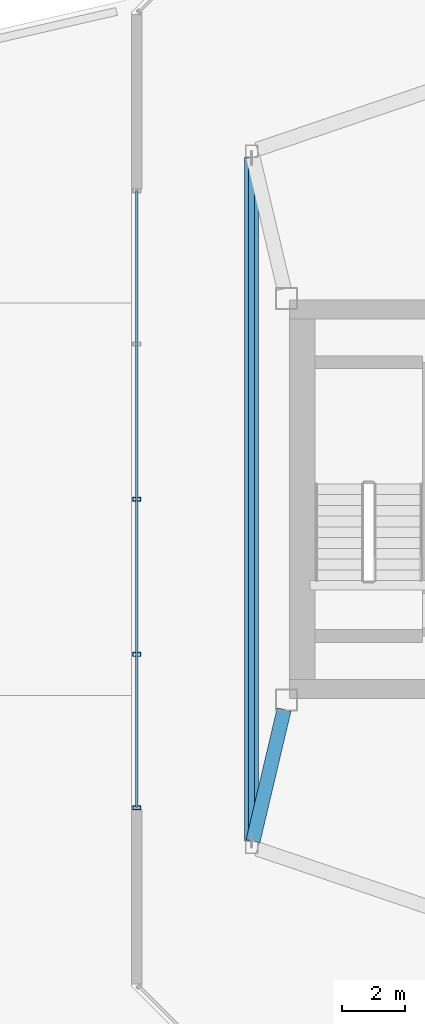
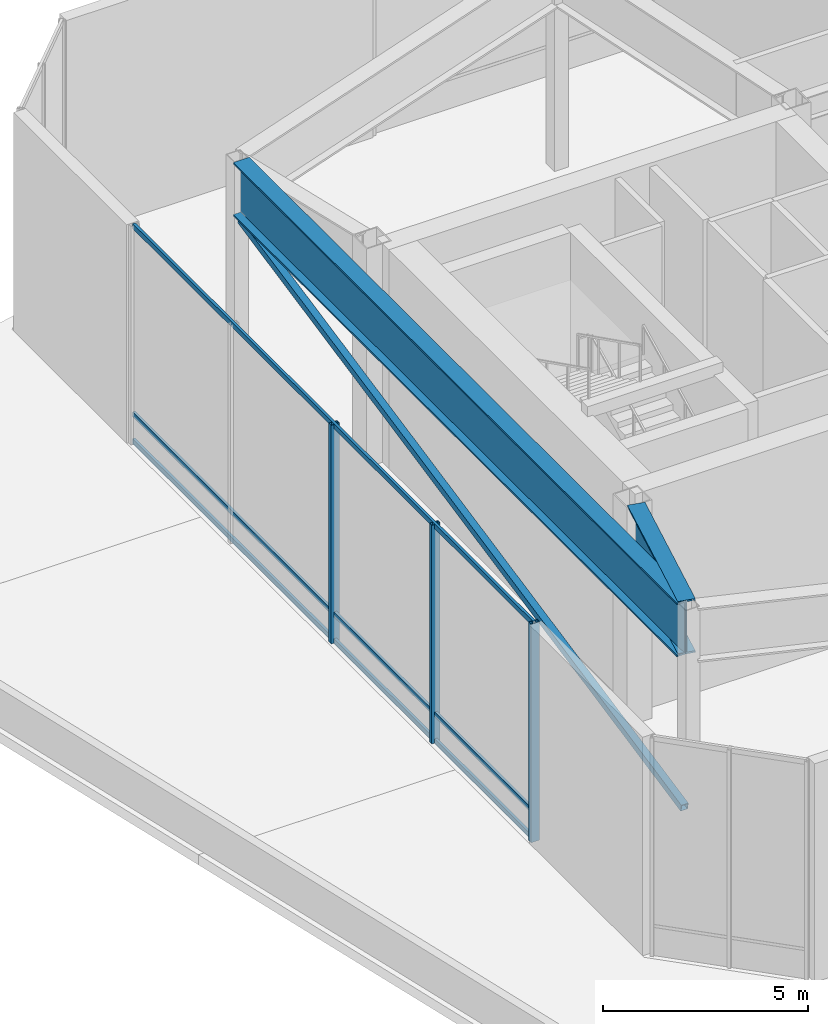
# One storey, part 4 of 25: 7 members, 2 beams, 1 element without a shape of its own.
"""IFC4 building model written with IfcOpenShell, lengths in metres."""

from ifc_helpers import new_model, si_unit, direction, frame, origin, origin_2d, place, context, subcontext, project, spatial, hollow_rectangle, i_section, extrude, material, layer, layer_set, material_profile, profile_set, type_object, element, aggregate, save


model = new_model("IFC4")

# Units and contexts
model_context = context("Model", 3, precision=1e-05, world=origin(), true_north=direction((0.0, 1.0)))
body_context = subcontext(model_context, "Body", "Model", "MODEL_VIEW")
ifc_project = project(units=[si_unit("LENGTHUNIT", "METRE"), si_unit("AREAUNIT", "SQUARE_METRE"), si_unit("VOLUMEUNIT", "CUBIC_METRE"), si_unit("PLANEANGLEUNIT", "RADIAN"), si_unit("MASSUNIT", "GRAM", prefix="KILO")], contexts=[model_context])

# Site, building, storey
site_placement = place(None, origin())
site = spatial("IfcSite", under=ifc_project, at=site_placement, CompositionType="ELEMENT")
building_placement = place(site_placement, origin())
building = spatial("IfcBuilding", under=site, at=building_placement, Name="Tavrogorsk Clinical Tower", CompositionType="ELEMENT")
storey_placement = place(building_placement, frame((0.0, 0.0, 333.0)))
storey = spatial("IfcBuildingStorey", under=building, at=storey_placement, Name="L78", CompositionType="ELEMENT", Elevation=333.0)

# Member
ifc_material_1 = material(Name="Structural steel S355", Category="steel")
ifc_material_profile_1 = material_profile(ifc_material_1, hollow_rectangle(XDim=0.199951171875, YDim=0.199951171875, WallThickness=0.010009765625, at=origin_2d()), Name="SHS-200x200x10")
ifc_profile_set_1 = profile_set([ifc_material_profile_1], Name="Structural steel S355")
member_type_1 = type_object("IfcMemberType", Name="CrownBrace_SHS200", PredefinedType="BRACE", material=ifc_profile_set_1)
member_1_placement = place(storey_placement, frame((-23.199951171875, -10.794189453125, 0.342041015625), z_axis=(0.0, 0.979715228906, 0.200394785982), x_axis=(-1.0, 0.0, 0.0)))
element("IfcMember", 1, at=member_1_placement, inside=storey, type_object=member_type_1, Name="L78 Crown Drum Brace 1", PredefinedType="BRACE", context=body_context, shape_type="SweptSolid", body=[
    extrude(hollow_rectangle(XDim=0.199951171875, YDim=0.199951171875, WallThickness=0.010009765625, at=origin_2d()), origin(), (0.0, 0.0, 1.0), 22.035400390625),
])

# Curtain wall, members
ifc_material_2 = material(Name="Anodised aluminium and triple IGU glazing", Category="aluminium")
ifc_layer = layer(ifc_material_2, 0.179931640625)
ifc_layer_set = layer_set([ifc_layer], Name="Anodised aluminium and triple IGU glazing")
curtain_wall_type = type_object("IfcCurtainWallType", Name="CW6_TmdLantern", PredefinedType="NOTDEFINED", material=ifc_layer_set)
curtain_wall_placement = place(storey_placement, origin())
curtain_wall = element("IfcCurtainWall", 2, at=curtain_wall_placement, inside=storey, type_object=curtain_wall_type, Name="L78 Curtain Wall CW-L78-TMD-2", PredefinedType="NOTDEFINED")
ifc_material_3 = material(Name="Anodised aluminium alloy AW-6060", Category="aluminium")
ifc_material_profile_2 = material_profile(ifc_material_3, hollow_rectangle(XDim=0.1201171875, YDim=0.239990234375, WallThickness=0.008056640625, at=origin_2d()), Name="RHS-240x120x8")
ifc_profile_set_2 = profile_set([ifc_material_profile_2], Name="Anodised aluminium alloy AW-6060")
member_type_2 = type_object("IfcMemberType", Name="CwMullion_240x120", PredefinedType="MULLION", material=ifc_profile_set_2)
member_2_placement = place(storey_placement, frame((-26.830078125, -9.754638671875, 0.0), z_axis=(0.0, 0.0, 1.0), x_axis=(0.0, 1.0, 0.0)))
member_2 = element("IfcMember", 3, at=member_2_placement, type_object=member_type_2, Name="CW-L78-TMD-2 Mullion 1", PredefinedType="MULLION", context=body_context, shape_type="SweptSolid", body=[
    extrude(hollow_rectangle(XDim=0.1201171875, YDim=0.239990234375, WallThickness=0.008056640625, at=origin_2d()), origin(), (0.0, 0.0, 1.0), 6.5),
])
member_3_placement = place(storey_placement, frame((-26.830078125, -4.906982421875, 0.0), z_axis=(0.0, 0.0, 1.0), x_axis=(0.0, 1.0, 0.0)))
member_3 = element("IfcMember", 4, at=member_3_placement, type_object=member_type_2, Name="CW-L78-TMD-2 Mullion 2", PredefinedType="MULLION", context=body_context, shape_type="SweptSolid", body=[
    extrude(hollow_rectangle(XDim=0.1201171875, YDim=0.239990234375, WallThickness=0.008056640625, at=origin_2d()), origin(), (0.0, 0.0, 1.0), 6.5),
])
member_4_placement = place(storey_placement, frame((-26.830078125, 0.00048828125, 0.0), z_axis=(0.0, 0.0, 1.0), x_axis=(0.0, 1.0, 0.0)))
member_4 = element("IfcMember", 5, at=member_4_placement, type_object=member_type_2, Name="CW-L78-TMD-2 Mullion 3", PredefinedType="MULLION", context=body_context, shape_type="SweptSolid", body=[
    extrude(hollow_rectangle(XDim=0.1201171875, YDim=0.239990234375, WallThickness=0.008056640625, at=origin_2d()), origin(), (0.0, 0.0, 1.0), 6.5),
])
ifc_material_4 = material(Name="Anodised aluminium alloy AW-6060", Category="aluminium")
ifc_material_profile_3 = material_profile(ifc_material_4, hollow_rectangle(XDim=0.074951171875, YDim=0.14990234375, WallThickness=0.0048828125, at=origin_2d()), Name="RHS-150x75x5")
ifc_profile_set_3 = profile_set([ifc_material_profile_3], Name="Anodised aluminium alloy AW-6060")
member_type_3 = type_object("IfcMemberType", Name="CwTransom_150x75", PredefinedType="USERDEFINED", material=ifc_profile_set_3)
member_5_placement = place(storey_placement, frame((-26.830078125, -9.754638671875, 0.050048828125), z_axis=(0.0, 1.0, 0.0), x_axis=(-1.0, 0.0, 0.0)))
member_5 = element("IfcMember", 6, at=member_5_placement, type_object=member_type_3, Name="CW-L78-TMD-2 Transom 1", ObjectType="TRANSOM", PredefinedType="USERDEFINED", context=body_context, shape_type="SweptSolid", body=[
    extrude(hollow_rectangle(XDim=0.074951171875, YDim=0.14990234375, WallThickness=0.0048828125, at=origin_2d()), origin(), (0.0, 0.0, 1.0), 19.510009765625),
])
member_6_placement = place(storey_placement, frame((-26.830078125, -9.754638671875, 0.85009765625), z_axis=(0.0, 1.0, 0.0), x_axis=(-1.0, 0.0, 0.0)))
member_6 = element("IfcMember", 7, at=member_6_placement, type_object=member_type_3, Name="CW-L78-TMD-2 Transom 2", ObjectType="TRANSOM", PredefinedType="USERDEFINED", context=body_context, shape_type="SweptSolid", body=[
    extrude(hollow_rectangle(XDim=0.074951171875, YDim=0.14990234375, WallThickness=0.0048828125, at=origin_2d()), origin(), (0.0, 0.0, 1.0), 19.510009765625),
])
member_7_placement = place(storey_placement, frame((-26.830078125, -9.754638671875, 6.449951171875), z_axis=(0.0, 1.0, 0.0), x_axis=(-1.0, 0.0, 0.0)))
member_7 = element("IfcMember", 8, at=member_7_placement, type_object=member_type_3, Name="CW-L78-TMD-2 Transom 3", ObjectType="TRANSOM", PredefinedType="USERDEFINED", context=body_context, shape_type="SweptSolid", body=[
    extrude(hollow_rectangle(XDim=0.074951171875, YDim=0.14990234375, WallThickness=0.0048828125, at=origin_2d()), origin(), (0.0, 0.0, 1.0), 19.510009765625),
])
aggregate(curtain_wall, [member_2, member_3, member_4, member_5, member_6, member_7])

# Beams
ifc_material_5 = material(Name="Structural steel S440", Category="steel")
ifc_material_profile_4 = material_profile(ifc_material_5, i_section(OverallWidth=0.449951171875, OverallDepth=1.60009765625, WebThickness=0.031982421875, FlangeThickness=0.050048828125, at=origin_2d()), Name="DK-1600x450x32x50")
ifc_profile_set_4 = profile_set([ifc_material_profile_4], Name="Structural steel S440")
beam_type = type_object("IfcBeamType", Name="TransferGirder_DK1600", PredefinedType="USERDEFINED", material=ifc_profile_set_4)
beam_1_placement = place(storey_placement, frame((-23.199951171875, 10.81005859375, 5.699951171875), z_axis=(0.0, -1.0, 0.0), x_axis=(1.0, 0.0, 0.0)))
element("IfcBeam", 9, at=beam_1_placement, inside=storey, type_object=beam_type, Name="L78 Crown Spandrel Beam 09", ObjectType="GIRDER", PredefinedType="USERDEFINED", context=body_context, shape_type="SweptSolid", body=[
    extrude(i_section(OverallWidth=0.449951171875, OverallDepth=1.60009765625, WebThickness=0.031982421875, FlangeThickness=0.050048828125, at=origin_2d()), origin(), (0.0, 0.0, 1.0), 21.6201171875),
])
beam_2_placement = place(storey_placement, frame((-22.17138671875, -6.651611328125, 5.699951171875), z_axis=(-0.230190528398, -0.973145580392, 0.0), x_axis=(0.973145580392, -0.230190528398, 0.0)))
element("IfcBeam", 10, at=beam_2_placement, inside=storey, type_object=beam_type, Name="L78 Crown Radial Beam 10", ObjectType="GIRDER", PredefinedType="USERDEFINED", context=body_context, shape_type="SweptSolid", body=[
    extrude(i_section(OverallWidth=0.449951171875, OverallDepth=1.60009765625, WebThickness=0.031982421875, FlangeThickness=0.050048828125, at=origin_2d()), origin(), (0.0, 0.0, 1.0), 4.278564453125),
])

save(model, "model.ifc")
